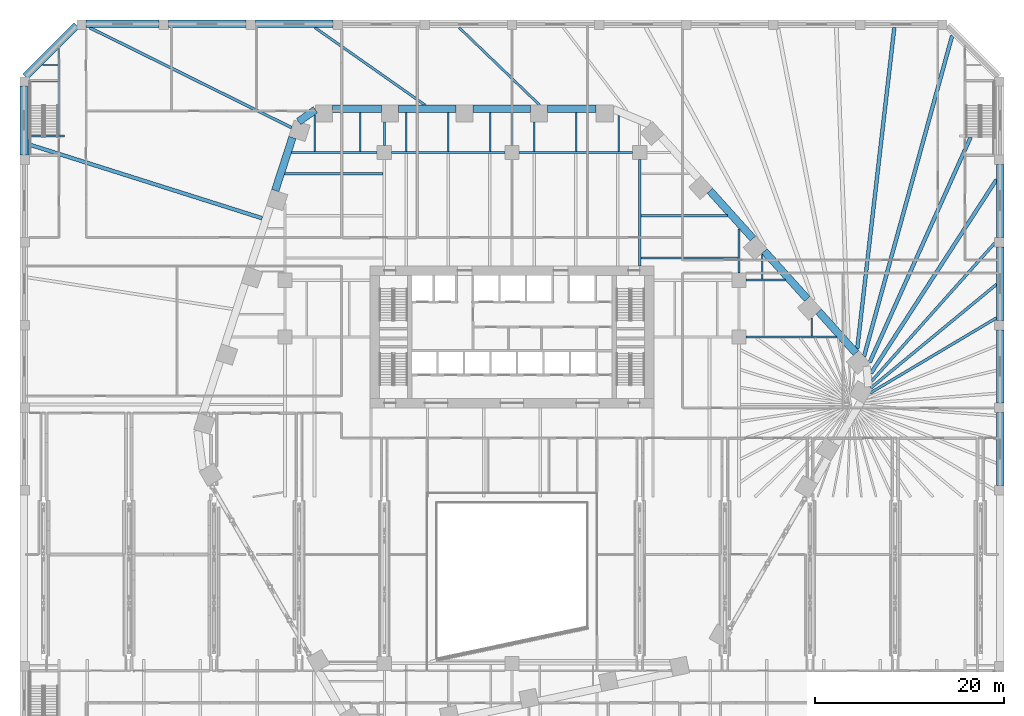
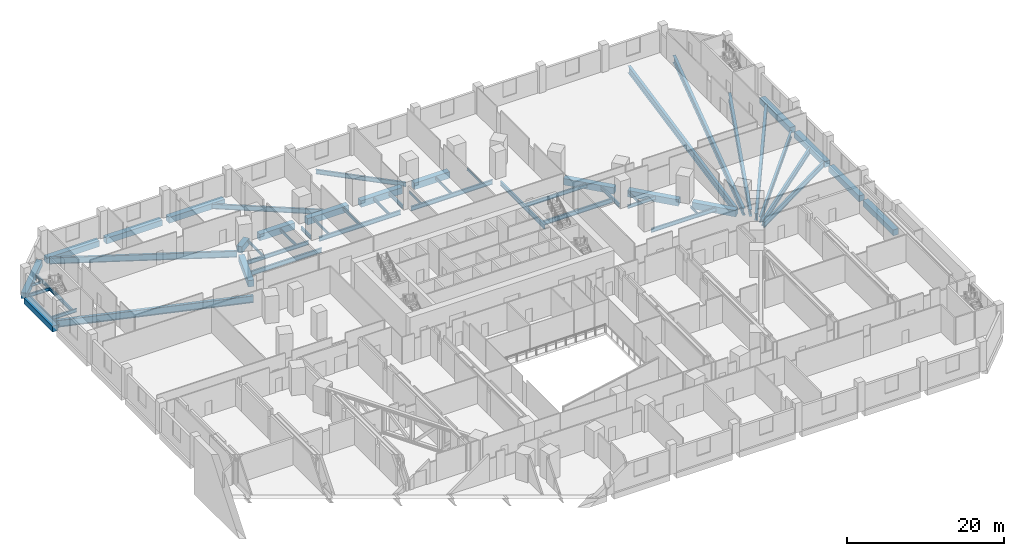
# One storey, part 10 of 32: 56 beams.
"""IFC4 building model written with IfcOpenShell, lengths in metres."""

from ifc_helpers import new_model, si_unit, direction, frame, origin, origin_2d, place, context, subcontext, project, spatial, rectangle, i_section, extrude, material, material_profile, profile_set, type_object, element, save


model = new_model("IFC4")

# Units and contexts
model_context = context("Model", 3, precision=1e-05, world=origin(), true_north=direction((0.0, 1.0)))
body_context = subcontext(model_context, "Body", "Model", "MODEL_VIEW")
ifc_project = project(units=[si_unit("LENGTHUNIT", "METRE"), si_unit("AREAUNIT", "SQUARE_METRE"), si_unit("VOLUMEUNIT", "CUBIC_METRE"), si_unit("PLANEANGLEUNIT", "RADIAN"), si_unit("MASSUNIT", "GRAM", prefix="KILO")], contexts=[model_context])

# Site, building, storey
site_placement = place(None, origin())
site = spatial("IfcSite", under=ifc_project, at=site_placement, CompositionType="ELEMENT")
building_placement = place(site_placement, origin())
building = spatial("IfcBuilding", under=site, at=building_placement, Name="Isthmus Gate Tower", CompositionType="ELEMENT")
storey_placement = place(building_placement, frame((0.0, 0.0, 18.0)))
storey = spatial("IfcBuildingStorey", under=building, at=storey_placement, Name="L02", CompositionType="ELEMENT", Elevation=18.0)

# Beams
ifc_material_1 = material(Name="Concrete f'c 70 MPa", Category="concrete")
ifc_material_profile_1 = material_profile(ifc_material_1, rectangle(XDim=0.800048828125, YDim=0.89990234375, at=origin_2d()), Name="RC 800X900")
ifc_profile_set_1 = profile_set([ifc_material_profile_1], Name="Concrete f'c 70 MPa")
beam_type_1 = type_object("IfcBeamType", Name="RC EDGE BEAM 800 X 900", PredefinedType="BEAM", material=ifc_profile_set_1)
beam_1_placement = place(storey_placement, frame((-51.60009765625, 26.75, -0.85009765625), z_axis=(0.0, 1.0, 0.0), x_axis=(-1.0, 0.0, 0.0)))
element("IfcBeam", 1, at=beam_1_placement, inside=storey, type_object=beam_type_1, Name="str-edgebeam-L02-07", PredefinedType="BEAM", context=body_context, shape_type="SweptSolid", body=[
    extrude(rectangle(XDim=0.800048828125, YDim=0.89990234375, at=origin_2d()), origin(), (0.0, 0.0, 1.0), 7.25),
])
beam_2_placement = place(storey_placement, frame((-51.434326171875, 35.0, -0.85009765625), z_axis=(0.707106781187, 0.707106781187, 0.0), x_axis=(-0.707106781187, 0.707106781187, 0.0)))
element("IfcBeam", 2, at=beam_2_placement, inside=storey, type_object=beam_type_1, Name="str-edgebeam-L02-08", PredefinedType="BEAM", context=body_context, shape_type="SweptSolid", body=[
    extrude(rectangle(XDim=0.800048828125, YDim=0.89990234375, at=origin_2d()), origin(), (0.0, 0.0, 1.0), 7.685302734375),
])
beam_3_placement = place(storey_placement, frame((-45.0, 40.60009765625, -0.85009765625), z_axis=(1.0, 0.0, 0.0), x_axis=(0.0, 1.0, 0.0)))
element("IfcBeam", 3, at=beam_3_placement, inside=storey, type_object=beam_type_1, Name="str-edgebeam-L02-09", PredefinedType="BEAM", context=body_context, shape_type="SweptSolid", body=[
    extrude(rectangle(XDim=0.800048828125, YDim=0.89990234375, at=origin_2d()), origin(), (0.0, 0.0, 1.0), 7.699951171875),
])
beam_4_placement = place(storey_placement, frame((-36.300048828125, 40.60009765625, -0.85009765625), z_axis=(1.0, 0.0, 0.0), x_axis=(0.0, 1.0, 0.0)))
element("IfcBeam", 4, at=beam_4_placement, inside=storey, type_object=beam_type_1, Name="str-edgebeam-L02-10", PredefinedType="BEAM", context=body_context, shape_type="SweptSolid", body=[
    extrude(rectangle(XDim=0.800048828125, YDim=0.89990234375, at=origin_2d()), origin(), (0.0, 0.0, 1.0), 8.199951171875),
])
beam_5_placement = place(storey_placement, frame((-27.10009765625, 40.60009765625, -0.85009765625), z_axis=(1.0, 0.0, 0.0), x_axis=(0.0, 1.0, 0.0)))
element("IfcBeam", 5, at=beam_5_placement, inside=storey, type_object=beam_type_1, Name="str-edgebeam-L02-11", PredefinedType="BEAM", context=body_context, shape_type="SweptSolid", body=[
    extrude(rectangle(XDim=0.800048828125, YDim=0.89990234375, at=origin_2d()), origin(), (0.0, 0.0, 1.0), 8.2001953125),
])
for number, where, z_axis, x_axis, name in (
    (6, (51.60009765625, 25.75, -0.85009765625), (0.0, -1.0, 0.0), (1.0, 0.0, 0.0), "str-edgebeam-L02-21"),
    (7, (51.60009765625, 17.0, -0.85009765625), (0.0, -1.0, 0.0), (1.0, 0.0, 0.0), "str-edgebeam-L02-22"),
    (8, (51.60009765625, 8.25, -0.85009765625), (0.0, -1.0, 0.0), (1.0, 0.0, 0.0), "str-edgebeam-L02-23"),
):
    element("IfcBeam", number, at=place(storey_placement, frame(where, z_axis=z_axis, x_axis=x_axis)), inside=storey, type_object=beam_type_1, Name=name, PredefinedType="BEAM", context=body_context, shape_type="SweptSolid", body=[
        extrude(rectangle(XDim=0.800048828125, YDim=0.89990234375, at=origin_2d()), origin(), (0.0, 0.0, 1.0), 7.75),
    ])
beam_6_placement = place(storey_placement, frame((51.60009765625, -0.5, -0.85009765625), z_axis=(0.0, -1.0, 0.0), x_axis=(1.0, 0.0, 0.0)))
element("IfcBeam", 9, at=beam_6_placement, inside=storey, type_object=beam_type_1, Name="str-edgebeam-L02-24", PredefinedType="BEAM", context=body_context, shape_type="SweptSolid", body=[
    extrude(rectangle(XDim=0.800048828125, YDim=0.89990234375, at=origin_2d()), origin(), (0.0, 0.0, 1.0), 7.699951171875),
])
ifc_material_2 = material(Name="Concrete f'c 70 MPa", Category="concrete")
ifc_material_profile_2 = material_profile(ifc_material_2, rectangle(XDim=0.800048828125, YDim=1.0, at=origin_2d()), Name="RC 800X1000")
ifc_profile_set_2 = profile_set([ifc_material_profile_2], Name="Concrete f'c 70 MPa")
beam_type_2 = type_object("IfcBeamType", Name="RC TUBE RING BEAM 800 X 1000", PredefinedType="BEAM", material=ifc_profile_set_2)
beam_7_placement = place(storey_placement, frame((20.91748046875, 22.94921875, -0.89990234375), z_axis=(0.669135571547, -0.743140354772, 0.0), x_axis=(0.743140354772, 0.669135571547, 0.0)))
element("IfcBeam", 10, at=beam_7_placement, inside=storey, type_object=beam_type_2, Name="str-ringbeam-L02-02", PredefinedType="BEAM", context=body_context, shape_type="SweptSolid", body=[
    extrude(rectangle(XDim=0.800048828125, YDim=1.0, at=origin_2d()), origin(), (0.0, 0.0, 1.0), 6.789306640625),
])
beam_8_placement = place(storey_placement, frame((26.664794921875, 16.566162109375, -0.89990234375), z_axis=(0.669117690519, -0.743156454748, 0.0), x_axis=(0.743156454748, 0.669117690519, 0.0)))
element("IfcBeam", 11, at=beam_8_placement, inside=storey, type_object=beam_type_2, Name="str-ringbeam-L02-03", PredefinedType="BEAM", context=body_context, shape_type="SweptSolid", body=[
    extrude(rectangle(XDim=0.800048828125, YDim=1.0, at=origin_2d()), origin(), (0.0, 0.0, 1.0), 6.78955078125),
])
beam_9_placement = place(storey_placement, frame((32.412353515625, 10.182861328125, -0.89990234375), z_axis=(0.669138782017, -0.743137464001, 0.0), x_axis=(0.743137464001, 0.669138782017, 0.0)))
element("IfcBeam", 12, at=beam_9_placement, inside=storey, type_object=beam_type_2, Name="str-ringbeam-L02-04", PredefinedType="BEAM", context=body_context, shape_type="SweptSolid", body=[
    extrude(rectangle(XDim=0.800048828125, YDim=1.0, at=origin_2d()), origin(), (0.0, 0.0, 1.0), 5.88916015625),
])
beam_10_placement = place(storey_placement, frame((-25.02490234375, 22.978271484375, -0.89990234375), z_axis=(0.309042953764, 0.951048081187, 0.0), x_axis=(-0.951048081187, 0.309042953764, 0.0)))
element("IfcBeam", 13, at=beam_10_placement, inside=storey, type_object=beam_type_2, Name="str-ringbeam-L02-18", PredefinedType="BEAM", context=body_context, shape_type="SweptSolid", body=[
    extrude(rectangle(XDim=0.800048828125, YDim=1.0, at=origin_2d()), origin(), (0.0, 0.0, 1.0), 5.889404296875),
])
beam_11_placement = place(storey_placement, frame((-22.553466796875, 30.260498046875, -0.89990234375), z_axis=(0.817857331203, 0.575421050882, 0.0), x_axis=(-0.575421050882, 0.817857331203, 0.0)))
element("IfcBeam", 14, at=beam_11_placement, inside=storey, type_object=beam_type_2, Name="str-ringbeam-L02-19", PredefinedType="BEAM", context=body_context, shape_type="SweptSolid", body=[
    extrude(rectangle(XDim=0.800048828125, YDim=1.0, at=origin_2d()), origin(), (0.0, 0.0, 1.0), 2.173095703125),
])
beam_12_placement = place(storey_placement, frame((-18.976318359375, 31.60009765625, -0.89990234375), z_axis=(1.0, 0.0, 0.0), x_axis=(0.0, 1.0, 0.0)))
element("IfcBeam", 15, at=beam_12_placement, inside=storey, type_object=beam_type_2, Name="str-ringbeam-L02-20", PredefinedType="BEAM", context=body_context, shape_type="SweptSolid", body=[
    extrude(rectangle(XDim=0.800048828125, YDim=1.0, at=origin_2d()), origin(), (0.0, 0.0, 1.0), 5.169677734375),
])
beam_13_placement = place(storey_placement, frame((-12.006591796875, 31.60009765625, -0.89990234375), z_axis=(1.0, 0.0, 0.0), x_axis=(0.0, 1.0, 0.0)))
element("IfcBeam", 16, at=beam_13_placement, inside=storey, type_object=beam_type_2, Name="str-ringbeam-L02-21", PredefinedType="BEAM", context=body_context, shape_type="SweptSolid", body=[
    extrude(rectangle(XDim=0.800048828125, YDim=1.0, at=origin_2d()), origin(), (0.0, 0.0, 1.0), 6.0693359375),
])
beam_14_placement = place(storey_placement, frame((-4.13720703125, 31.60009765625, -0.89990234375), z_axis=(1.0, 0.0, 0.0), x_axis=(0.0, 1.0, 0.0)))
element("IfcBeam", 17, at=beam_14_placement, inside=storey, type_object=beam_type_2, Name="str-ringbeam-L02-22", PredefinedType="BEAM", context=body_context, shape_type="SweptSolid", body=[
    extrude(rectangle(XDim=0.800048828125, YDim=1.0, at=origin_2d()), origin(), (0.0, 0.0, 1.0), 6.069580078125),
])
beam_15_placement = place(storey_placement, frame((3.732421875, 31.60009765625, -0.89990234375), z_axis=(1.0, 0.0, 0.0), x_axis=(0.0, 1.0, 0.0)))
element("IfcBeam", 18, at=beam_15_placement, inside=storey, type_object=beam_type_2, Name="str-ringbeam-L02-23", PredefinedType="BEAM", context=body_context, shape_type="SweptSolid", body=[
    extrude(rectangle(XDim=0.800048828125, YDim=1.0, at=origin_2d()), origin(), (0.0, 0.0, 1.0), 5.16943359375),
])
ifc_material_3 = material(Name="Structural steel ASTM A992 Gr 50", Category="steel")
ifc_material_profile_3 = material_profile(ifc_material_3, i_section(OverallWidth=0.1396484375, OverallDepth=0.4033203125, WebThickness=0.00634765625, FlangeThickness=0.010986328125, at=origin_2d()), Name="W16X31")
ifc_profile_set_3 = profile_set([ifc_material_profile_3], Name="Structural steel ASTM A992 Gr 50")
beam_type_3 = type_object("IfcBeamType", Name="STEEL FLOOR BEAM W16X31", PredefinedType="JOIST", material=ifc_profile_set_3)
beam_16_placement = place(storey_placement, frame((-49.616943359375, 36.25146484375, -0.6015625), z_axis=(1.0, 0.0, 0.0), x_axis=(0.0, 1.0, 0.0)))
element("IfcBeam", 19, at=beam_16_placement, inside=storey, type_object=beam_type_3, Name="str-beam-L02-05-00", PredefinedType="JOIST", context=body_context, shape_type="SweptSolid", body=[
    extrude(i_section(OverallWidth=0.1396484375, OverallDepth=0.4033203125, WebThickness=0.00634765625, FlangeThickness=0.010986328125, at=origin_2d()), origin(), (0.0, 0.0, 1.0), 1.616943359375),
])
beam_17_placement = place(storey_placement, frame((-20.846435546875, 27.1142578125, -0.6015625), z_axis=(0.0, 1.0, 0.0), x_axis=(-1.0, 0.0, 0.0)))
element("IfcBeam", 20, at=beam_17_placement, inside=storey, type_object=beam_type_3, Name="str-beam-L02-09-00", PredefinedType="JOIST", context=body_context, shape_type="SweptSolid", body=[
    extrude(i_section(OverallWidth=0.1396484375, OverallDepth=0.4033203125, WebThickness=0.00634765625, FlangeThickness=0.010986328125, at=origin_2d()), origin(), (0.0, 0.0, 1.0), 3.858154296875),
])
beam_18_placement = place(storey_placement, frame((2.33740234375, 27.126953125, -0.6015625), z_axis=(0.0, 1.0, 0.0), x_axis=(-1.0, 0.0, 0.0)))
element("IfcBeam", 21, at=beam_18_placement, inside=storey, type_object=beam_type_3, Name="str-beam-L02-21-00", PredefinedType="JOIST", context=body_context, shape_type="SweptSolid", body=[
    extrude(i_section(OverallWidth=0.1396484375, OverallDepth=0.4033203125, WebThickness=0.00634765625, FlangeThickness=0.010986328125, at=origin_2d()), origin(), (0.0, 0.0, 1.0), 3.072998046875),
])
beam_19_placement = place(storey_placement, frame((11.267578125, 27.126953125, -0.6015625), z_axis=(0.0, 1.0, 0.0), x_axis=(-1.0, 0.0, 0.0)))
element("IfcBeam", 22, at=beam_19_placement, inside=storey, type_object=beam_type_3, Name="str-beam-L02-21-02", PredefinedType="JOIST", context=body_context, shape_type="SweptSolid", body=[
    extrude(i_section(OverallWidth=0.1396484375, OverallDepth=0.4033203125, WebThickness=0.00634765625, FlangeThickness=0.010986328125, at=origin_2d()), origin(), (0.0, 0.0, 1.0), 3.771484375),
])
beam_20_placement = place(storey_placement, frame((26.448974609375, 13.604736328125, -0.6015625), z_axis=(0.0, 1.0, 0.0), x_axis=(-1.0, 0.0, 0.0)))
element("IfcBeam", 23, at=beam_20_placement, inside=storey, type_object=beam_type_3, Name="str-beam-L02-28-00", PredefinedType="JOIST", context=body_context, shape_type="SweptSolid", body=[
    extrude(i_section(OverallWidth=0.1396484375, OverallDepth=0.4033203125, WebThickness=0.00634765625, FlangeThickness=0.010986328125, at=origin_2d()), origin(), (0.0, 0.0, 1.0), 2.603515625),
])
beam_21_placement = place(storey_placement, frame((31.666259765625, 7.6142578125, -0.6015625), z_axis=(0.0, 1.0, 0.0), x_axis=(-1.0, 0.0, 0.0)))
element("IfcBeam", 24, at=beam_21_placement, inside=storey, type_object=beam_type_3, Name="str-beam-L02-29-01", PredefinedType="JOIST", context=body_context, shape_type="SweptSolid", body=[
    extrude(i_section(OverallWidth=0.1396484375, OverallDepth=0.4033203125, WebThickness=0.00634765625, FlangeThickness=0.010986328125, at=origin_2d()), origin(), (0.0, 0.0, 1.0), 1.89697265625),
])
ifc_material_4 = material(Name="Structural steel ASTM A992 Gr 50", Category="steel")
ifc_material_profile_4 = material_profile(ifc_material_4, i_section(OverallWidth=0.15234375, OverallDepth=0.45068359375, WebThickness=0.0078125, FlangeThickness=0.010986328125, at=origin_2d()), Name="W18X35")
ifc_profile_set_4 = profile_set([ifc_material_profile_4], Name="Structural steel ASTM A992 Gr 50")
beam_type_4 = type_object("IfcBeamType", Name="STEEL FLOOR BEAM W18X35", PredefinedType="JOIST", material=ifc_profile_set_4)
beam_22_placement = place(storey_placement, frame((-16.0185546875, 27.1142578125, -0.62548828125), z_axis=(0.0, 1.0, 0.0), x_axis=(-1.0, 0.0, 0.0)))
element("IfcBeam", 25, at=beam_22_placement, inside=storey, type_object=beam_type_4, Name="str-beam-L02-09-01", PredefinedType="JOIST", context=body_context, shape_type="SweptSolid", body=[
    extrude(i_section(OverallWidth=0.15234375, OverallDepth=0.45068359375, WebThickness=0.0078125, FlangeThickness=0.010986328125, at=origin_2d()), origin(), (0.0, 0.0, 1.0), 4.085693359375),
])
for number, where, z_axis, x_axis, name in (
    (26, (-11.18017578125, 27.126953125, -0.62548828125), (0.0, 1.0, 0.0), (-1.0, 0.0, 0.0), "str-beam-L02-15-00"),
    (27, (-6.75, 27.126953125, -0.62548828125), (0.0, 1.0, 0.0), (-1.0, 0.0, 0.0), "str-beam-L02-15-01"),
    (28, (-2.31982421875, 27.126953125, -0.62548828125), (0.0, 1.0, 0.0), (-1.0, 0.0, 0.0), "str-beam-L02-15-02"),
    (29, (6.802490234375, 27.126953125, -0.62548828125), (0.0, 1.0, 0.0), (-1.0, 0.0, 0.0), "str-beam-L02-21-01"),
):
    element("IfcBeam", number, at=place(storey_placement, frame(where, z_axis=z_axis, x_axis=x_axis)), inside=storey, type_object=beam_type_4, Name=name, PredefinedType="JOIST", context=body_context, shape_type="SweptSolid", body=[
        extrude(i_section(OverallWidth=0.15234375, OverallDepth=0.45068359375, WebThickness=0.0078125, FlangeThickness=0.010986328125, at=origin_2d()), origin(), (0.0, 0.0, 1.0), 4.072998046875),
    ])
ifc_material_5 = material(Name="Structural steel ASTM A992 Gr 50", Category="steel")
ifc_material_profile_5 = material_profile(ifc_material_5, i_section(OverallWidth=0.228515625, OverallDepth=0.603271484375, WebThickness=0.010986328125, FlangeThickness=0.014404296875, at=origin_2d()), Name="W24X68")
ifc_profile_set_5 = profile_set([ifc_material_profile_5], Name="Structural steel ASTM A992 Gr 50")
beam_type_5 = type_object("IfcBeamType", Name="STEEL FLOOR BEAM W24X68", PredefinedType="JOIST", material=ifc_profile_set_5)
beam_23_placement = place(storey_placement, frame((13.626953125, 20.30712890625, -0.70166015625), z_axis=(1.0, 0.0, 0.0), x_axis=(0.0, 1.0, 0.0)))
element("IfcBeam", 30, at=beam_23_placement, inside=storey, type_object=beam_type_5, Name="str-beam-L02-26-01", PredefinedType="JOIST", context=body_context, shape_type="SweptSolid", body=[
    extrude(i_section(OverallWidth=0.228515625, OverallDepth=0.603271484375, WebThickness=0.010986328125, FlangeThickness=0.014404296875, at=origin_2d()), origin(), (0.0, 0.0, 1.0), 9.131103515625),
])
ifc_material_6 = material(Name="Structural steel ASTM A992 Gr 50", Category="steel")
ifc_material_profile_6 = material_profile(ifc_material_6, i_section(OverallWidth=0.25390625, OverallDepth=0.679443359375, WebThickness=0.010986328125, FlangeThickness=0.015869140625, at=origin_2d()), Name="W27X84")
ifc_profile_set_6 = profile_set([ifc_material_profile_6], Name="Structural steel ASTM A992 Gr 50")
beam_type_6 = type_object("IfcBeamType", Name="STEEL FLOOR BEAM W27X84", PredefinedType="JOIST", material=ifc_profile_set_6)
beam_24_placement = place(storey_placement, frame((-24.0224609375, 24.76904296875, -0.73974609375), z_axis=(1.0, 0.0, 0.0), x_axis=(0.0, 1.0, 0.0)))
element("IfcBeam", 31, at=beam_24_placement, inside=storey, type_object=beam_type_6, Name="str-beam-L02-08-02", PredefinedType="JOIST", context=body_context, shape_type="SweptSolid", body=[
    extrude(i_section(OverallWidth=0.25390625, OverallDepth=0.679443359375, WebThickness=0.010986328125, FlangeThickness=0.015869140625, at=origin_2d()), origin(), (0.0, 0.0, 1.0), 10.3955078125),
])
beam_25_placement = place(storey_placement, frame((2.929443359375, 32.0, -0.73974609375), z_axis=(-0.7205207644, 0.693433362385, 0.0), x_axis=(-0.693433362385, -0.7205207644, 0.0)))
element("IfcBeam", 32, at=beam_25_placement, inside=storey, type_object=beam_type_6, Name="str-beam-L02-18-22", PredefinedType="JOIST", context=body_context, shape_type="SweptSolid", body=[
    extrude(i_section(OverallWidth=0.25390625, OverallDepth=0.679443359375, WebThickness=0.010986328125, FlangeThickness=0.015869140625, at=origin_2d()), origin(), (0.0, 0.0, 1.0), 11.8251953125),
])
beam_26_placement = place(storey_placement, frame((13.626953125, 15.84521484375, -0.73974609375), z_axis=(1.0, 0.0, 0.0), x_axis=(0.0, 1.0, 0.0)))
element("IfcBeam", 33, at=beam_26_placement, inside=storey, type_object=beam_type_6, Name="str-beam-L02-26-00", PredefinedType="JOIST", context=body_context, shape_type="SweptSolid", body=[
    extrude(i_section(OverallWidth=0.25390625, OverallDepth=0.679443359375, WebThickness=0.010986328125, FlangeThickness=0.015869140625, at=origin_2d()), origin(), (0.0, 0.0, 1.0), 10.268310546875),
])
ifc_material_7 = material(Name="Structural steel ASTM A992 Gr 50", Category="steel")
ifc_material_profile_7 = material_profile(ifc_material_7, i_section(OverallWidth=0.2666015625, OverallDepth=0.7587890625, WebThickness=0.014404296875, FlangeThickness=0.01904296875, at=origin_2d()), Name="W30X108")
ifc_profile_set_7 = profile_set([ifc_material_profile_7], Name="Structural steel ASTM A992 Gr 50")
beam_type_7 = type_object("IfcBeamType", Name="STEEL FLOOR BEAM W30X108", PredefinedType="JOIST", material=ifc_profile_set_7)
beam_27_placement = place(storey_placement, frame((-9.177978515625, 32.0, -0.779296875), z_axis=(-0.817931803777, 0.57531518698, 0.0), x_axis=(-0.57531518698, -0.817931803777, 0.0)))
element("IfcBeam", 34, at=beam_27_placement, inside=storey, type_object=beam_type_7, Name="str-beam-L02-18-24", PredefinedType="JOIST", context=body_context, shape_type="SweptSolid", body=[
    extrude(i_section(OverallWidth=0.2666015625, OverallDepth=0.7587890625, WebThickness=0.014404296875, FlangeThickness=0.01904296875, at=origin_2d()), origin(), (0.0, 0.0, 1.0), 14.2529296875),
])
ifc_material_8 = material(Name="Structural steel ASTM A992 Gr 50", Category="steel")
ifc_material_profile_8 = material_profile(ifc_material_8, i_section(OverallWidth=0.2919921875, OverallDepth=0.8349609375, WebThickness=0.014404296875, FlangeThickness=0.01904296875, at=origin_2d()), Name="W33X118")
ifc_profile_set_8 = profile_set([ifc_material_profile_8], Name="Structural steel ASTM A992 Gr 50")
beam_type_8 = type_object("IfcBeamType", Name="STEEL FLOOR BEAM W33X118", PredefinedType="JOIST", material=ifc_profile_set_8)
beam_28_placement = place(storey_placement, frame((37.861572265625, 1.578125, -0.8173828125), z_axis=(0.85956409258, 0.511027954956, 0.0), x_axis=(-0.511027954956, 0.85956409258, 0.0)))
element("IfcBeam", 35, at=beam_28_placement, inside=storey, type_object=beam_type_8, Name="str-beam-L02-18-03", PredefinedType="JOIST", context=body_context, shape_type="SweptSolid", body=[
    extrude(i_section(OverallWidth=0.2919921875, OverallDepth=0.8349609375, WebThickness=0.014404296875, FlangeThickness=0.01904296875, at=origin_2d()), origin(), (0.0, 0.0, 1.0), 15.517578125),
])
ifc_material_9 = material(Name="Structural steel ASTM A992 Gr 50", Category="steel")
ifc_material_profile_9 = material_profile(ifc_material_9, i_section(OverallWidth=0.3046875, OverallDepth=0.901611328125, WebThickness=0.015869140625, FlangeThickness=0.0205078125, at=origin_2d()), Name="W36X135")
ifc_profile_set_9 = profile_set([ifc_material_profile_9], Name="Structural steel ASTM A992 Gr 50")
beam_type_9 = type_object("IfcBeamType", Name="STEEL FLOOR BEAM W36X135", PredefinedType="JOIST", material=ifc_profile_set_9)
beam_29_placement = place(storey_placement, frame((37.918701171875, 2.097900390625, -0.850830078125), z_axis=(0.771484652954, 0.636247931436, 0.0), x_axis=(-0.636247931436, 0.771484652954, 0.0)))
element("IfcBeam", 36, at=beam_29_placement, inside=storey, type_object=beam_type_9, Name="str-beam-L02-18-04", PredefinedType="JOIST", context=body_context, shape_type="SweptSolid", body=[
    extrude(i_section(OverallWidth=0.3046875, OverallDepth=0.901611328125, WebThickness=0.015869140625, FlangeThickness=0.0205078125, at=origin_2d()), origin(), (0.0, 0.0, 1.0), 17.215087890625),
])
ifc_material_10 = material(Name="Structural steel ASTM A992 Gr 50", Category="steel")
ifc_material_profile_10 = material_profile(ifc_material_10, i_section(OverallWidth=0.3046875, OverallDepth=0.914306640625, WebThickness=0.015869140625, FlangeThickness=0.025390625, at=origin_2d()), Name="W36X160")
ifc_profile_set_10 = profile_set([ifc_material_profile_10], Name="Structural steel ASTM A992 Gr 50")
beam_type_10 = type_object("IfcBeamType", Name="STEEL FLOOR BEAM W36X160", PredefinedType="JOIST", material=ifc_profile_set_10)
beam_30_placement = place(storey_placement, frame((38.0244140625, 2.84423828125, -0.857177734375), z_axis=(0.665323661342, 0.746555038599, 0.0), x_axis=(-0.746555038599, 0.665323661342, 0.0)))
element("IfcBeam", 37, at=beam_30_placement, inside=storey, type_object=beam_type_10, Name="str-beam-L02-18-05", PredefinedType="JOIST", context=body_context, shape_type="SweptSolid", body=[
    extrude(i_section(OverallWidth=0.3046875, OverallDepth=0.914306640625, WebThickness=0.015869140625, FlangeThickness=0.025390625, at=origin_2d()), origin(), (0.0, 0.0, 1.0), 19.502685546875),
])
ifc_material_11 = material(Name="Structural steel ASTM A992 Gr 50", Category="steel")
ifc_material_profile_11 = material_profile(ifc_material_11, i_section(OverallWidth=0.29833984375, OverallDepth=0.981201171875, WebThickness=0.015869140625, FlangeThickness=0.025390625, at=origin_2d()), Name="W40X167")
ifc_profile_set_11 = profile_set([ifc_material_profile_11], Name="Structural steel ASTM A992 Gr 50")
beam_type_11 = type_object("IfcBeamType", Name="STEEL FLOOR BEAM W40X167", PredefinedType="JOIST", material=ifc_profile_set_11)
beam_31_placement = place(storey_placement, frame((-23.2880859375, 29.617919921875, -0.890625), z_axis=(-0.896166821681, 0.443717283547, 0.0), x_axis=(-0.443717283547, -0.896166821681, 0.0)))
element("IfcBeam", 38, at=beam_31_placement, inside=storey, type_object=beam_type_11, Name="str-beam-L02-18-26", PredefinedType="JOIST", context=body_context, shape_type="SweptSolid", body=[
    extrude(i_section(OverallWidth=0.29833984375, OverallDepth=0.981201171875, WebThickness=0.015869140625, FlangeThickness=0.025390625, at=origin_2d()), origin(), (0.0, 0.0, 1.0), 23.8486328125),
])
ifc_material_12 = material(Name="Structural steel ASTM A992 Gr 50", Category="steel")
ifc_material_profile_12 = material_profile(ifc_material_12, i_section(OverallWidth=0.39990234375, OverallDepth=1.089111328125, WebThickness=0.017578125, FlangeThickness=0.03173828125, at=origin_2d()), Name="W44X230")
ifc_profile_set_12 = profile_set([ifc_material_profile_12], Name="Structural steel ASTM A992 Gr 50")
beam_type_12 = type_object("IfcBeamType", Name="STEEL FLOOR BEAM W44X230", PredefinedType="JOIST", material=ifc_profile_set_12)
beam_32_placement = place(storey_placement, frame((37.95068359375, 3.666015625, -0.944580078125), z_axis=(0.543572271706, 0.839362368368, 0.0), x_axis=(-0.839362368368, 0.543572271706, 0.0)))
element("IfcBeam", 39, at=beam_32_placement, inside=storey, type_object=beam_type_12, Name="str-beam-L02-18-06", PredefinedType="JOIST", context=body_context, shape_type="SweptSolid", body=[
    extrude(i_section(OverallWidth=0.39990234375, OverallDepth=1.089111328125, WebThickness=0.017578125, FlangeThickness=0.03173828125, at=origin_2d()), origin(), (0.0, 0.0, 1.0), 24.37451171875),
])
beam_33_placement = place(storey_placement, frame((37.799072265625, 4.798095703125, -0.944580078125), z_axis=(0.409063692622, 0.912505833065, 0.0), x_axis=(-0.912505833065, 0.409063692622, 0.0)))
element("IfcBeam", 40, at=beam_33_placement, inside=storey, type_object=beam_type_12, Name="str-beam-L02-18-07", PredefinedType="JOIST", context=body_context, shape_type="SweptSolid", body=[
    extrude(i_section(OverallWidth=0.39990234375, OverallDepth=1.089111328125, WebThickness=0.017578125, FlangeThickness=0.03173828125, at=origin_2d()), origin(), (0.0, 0.0, 1.0), 26.10107421875),
])
beam_34_placement = place(storey_placement, frame((37.208740234375, 5.453857421875, -0.944580078125), z_axis=(0.264980025493, 0.964253901257, 0.0), x_axis=(-0.964253901257, 0.264980025493, 0.0)))
element("IfcBeam", 41, at=beam_34_placement, inside=storey, type_object=beam_type_12, Name="str-beam-L02-18-08", PredefinedType="JOIST", context=body_context, shape_type="SweptSolid", body=[
    extrude(i_section(OverallWidth=0.39990234375, OverallDepth=1.089111328125, WebThickness=0.017578125, FlangeThickness=0.03173828125, at=origin_2d()), origin(), (0.0, 0.0, 1.0), 35.148681640625),
])
beam_35_placement = place(storey_placement, frame((36.48876953125, 6.253173828125, -0.944580078125), z_axis=(0.11468918965, 0.993401424288, 0.0), x_axis=(-0.993401424288, 0.11468918965, 0.0)))
element("IfcBeam", 42, at=beam_35_placement, inside=storey, type_object=beam_type_12, Name="str-beam-L02-18-10", PredefinedType="JOIST", context=body_context, shape_type="SweptSolid", body=[
    extrude(i_section(OverallWidth=0.39990234375, OverallDepth=1.089111328125, WebThickness=0.017578125, FlangeThickness=0.03173828125, at=origin_2d()), origin(), (0.0, 0.0, 1.0), 34.17236328125),
])
beam_36_placement = place(storey_placement, frame((-26.39892578125, 20.0439453125, -0.944580078125), z_axis=(-0.953394918688, 0.301725254196, 0.0), x_axis=(-0.301725254196, -0.953394918688, 0.0)))
element("IfcBeam", 43, at=beam_36_placement, inside=storey, type_object=beam_type_12, Name="str-beam-L02-18-28", PredefinedType="JOIST", context=body_context, shape_type="SweptSolid", body=[
    extrude(i_section(OverallWidth=0.39990234375, OverallDepth=1.089111328125, WebThickness=0.017578125, FlangeThickness=0.03173828125, at=origin_2d()), origin(), (0.0, 0.0, 1.0), 25.751220703125),
])
ifc_material_13 = material(Name="Structural steel ASTM A992 Gr 50", Category="steel")
ifc_material_profile_13 = material_profile(ifc_material_13, i_section(OverallWidth=0.20947265625, OverallDepth=0.533447265625, WebThickness=0.009521484375, FlangeThickness=0.015869140625, at=origin_2d()), Name="W21X62")
ifc_profile_set_13 = profile_set([ifc_material_profile_13], Name="Structural steel ASTM A992 Gr 50")
beam_type_13 = type_object("IfcBeamType", Name="STEEL GIRDER W21X62", PredefinedType="BEAM", material=ifc_profile_set_13)
beam_37_placement = place(storey_placement, frame((24.75, 13.5, -0.666748046875), z_axis=(1.0, 0.0, 0.0), x_axis=(0.0, 1.0, 0.0)))
element("IfcBeam", 44, at=beam_37_placement, inside=storey, type_object=beam_type_13, Name="str-girder-L02-10", PredefinedType="BEAM", context=body_context, shape_type="SweptSolid", body=[
    extrude(i_section(OverallWidth=0.20947265625, OverallDepth=0.533447265625, WebThickness=0.009521484375, FlangeThickness=0.015869140625, at=origin_2d()), origin(), (0.0, 0.0, 1.0), 4.13720703125),
])
beam_38_placement = place(storey_placement, frame((-13.5, 27.75, -0.666748046875), z_axis=(0.0, 1.0, 0.0), x_axis=(-1.0, 0.0, 0.0)))
element("IfcBeam", 45, at=beam_38_placement, inside=storey, type_object=beam_type_13, Name="str-girder-L02-20", PredefinedType="BEAM", context=body_context, shape_type="SweptSolid", body=[
    extrude(i_section(OverallWidth=0.20947265625, OverallDepth=0.533447265625, WebThickness=0.009521484375, FlangeThickness=0.015869140625, at=origin_2d()), origin(), (0.0, 0.0, 1.0), 2.449951171875),
])
beam_39_placement = place(storey_placement, frame((0.0, 27.75, -0.666748046875), z_axis=(0.0, 1.0, 0.0), x_axis=(-1.0, 0.0, 0.0)))
element("IfcBeam", 46, at=beam_39_placement, inside=storey, type_object=beam_type_13, Name="str-girder-L02-23", PredefinedType="BEAM", context=body_context, shape_type="SweptSolid", body=[
    extrude(i_section(OverallWidth=0.20947265625, OverallDepth=0.533447265625, WebThickness=0.009521484375, FlangeThickness=0.015869140625, at=origin_2d()), origin(), (0.0, 0.0, 1.0), 3.449951171875),
])
beam_40_placement = place(storey_placement, frame((24.0, 14.25, -0.666748046875), z_axis=(0.0, 1.0, 0.0), x_axis=(-1.0, 0.0, 0.0)))
element("IfcBeam", 47, at=beam_40_placement, inside=storey, type_object=beam_type_13, Name="str-girder-L02-28", PredefinedType="BEAM", context=body_context, shape_type="SweptSolid", body=[
    extrude(i_section(OverallWidth=0.20947265625, OverallDepth=0.533447265625, WebThickness=0.009521484375, FlangeThickness=0.015869140625, at=origin_2d()), origin(), (0.0, 0.0, 1.0), 4.677978515625),
])
ifc_material_14 = material(Name="Structural steel ASTM A992 Gr 50", Category="steel")
ifc_material_profile_14 = material_profile(ifc_material_14, i_section(OverallWidth=0.228515625, OverallDepth=0.6064453125, WebThickness=0.010986328125, FlangeThickness=0.017578125, at=origin_2d()), Name="W24X76")
ifc_profile_set_14 = profile_set([ifc_material_profile_14], Name="Structural steel ASTM A992 Gr 50")
beam_type_14 = type_object("IfcBeamType", Name="STEEL GIRDER W24X76", PredefinedType="BEAM", material=ifc_profile_set_14)
beam_41_placement = place(storey_placement, frame((24.75, 7.5, -0.703125), z_axis=(1.0, 0.0, 0.0), x_axis=(0.0, 1.0, 0.0)))
element("IfcBeam", 48, at=beam_41_placement, inside=storey, type_object=beam_type_14, Name="str-girder-L02-07", PredefinedType="BEAM", context=body_context, shape_type="SweptSolid", body=[
    extrude(i_section(OverallWidth=0.228515625, OverallDepth=0.6064453125, WebThickness=0.010986328125, FlangeThickness=0.017578125, at=origin_2d()), origin(), (0.0, 0.0, 1.0), 9.539794921875),
])
beam_42_placement = place(storey_placement, frame((-23.297607421875, 27.0, -0.703125), z_axis=(1.0, 0.0, 0.0), x_axis=(0.0, 1.0, 0.0)))
element("IfcBeam", 49, at=beam_42_placement, inside=storey, type_object=beam_type_14, Name="str-girder-L02-11", PredefinedType="BEAM", context=body_context, shape_type="SweptSolid", body=[
    extrude(i_section(OverallWidth=0.228515625, OverallDepth=0.6064453125, WebThickness=0.010986328125, FlangeThickness=0.017578125, at=origin_2d()), origin(), (0.0, 0.0, 1.0), 9.047607421875),
])
ifc_material_15 = material(Name="Structural steel ASTM A992 Gr 50", Category="steel")
ifc_material_profile_15 = material_profile(ifc_material_15, i_section(OverallWidth=0.25390625, OverallDepth=0.679443359375, WebThickness=0.010986328125, FlangeThickness=0.015869140625, at=origin_2d()), Name="W27X84")
ifc_profile_set_15 = profile_set([ifc_material_profile_15], Name="Structural steel ASTM A992 Gr 50")
beam_type_15 = type_object("IfcBeamType", Name="STEEL GIRDER W27X84", PredefinedType="BEAM", material=ifc_profile_set_15)
for number, where, z_axis, x_axis, name in (
    (50, (-12.75, 27.0, -0.73974609375), (1.0, 0.0, 0.0), (0.0, 1.0, 0.0), "str-girder-L02-12"),
    (51, (0.75, 27.0, -0.73974609375), (1.0, 0.0, 0.0), (0.0, 1.0, 0.0), "str-girder-L02-13"),
):
    element("IfcBeam", number, at=place(storey_placement, frame(where, z_axis=z_axis, x_axis=x_axis)), inside=storey, type_object=beam_type_15, Name=name, PredefinedType="BEAM", context=body_context, shape_type="SweptSolid", body=[
        extrude(i_section(OverallWidth=0.25390625, OverallDepth=0.679443359375, WebThickness=0.010986328125, FlangeThickness=0.015869140625, at=origin_2d()), origin(), (0.0, 0.0, 1.0), 12.0),
    ])
beam_43_placement = place(storey_placement, frame((13.5, 15.0, -0.73974609375), z_axis=(0.0, 1.0, 0.0), x_axis=(-1.0, 0.0, 0.0)))
element("IfcBeam", 52, at=beam_43_placement, inside=storey, type_object=beam_type_15, Name="str-girder-L02-24", PredefinedType="BEAM", context=body_context, shape_type="SweptSolid", body=[
    extrude(i_section(OverallWidth=0.25390625, OverallDepth=0.679443359375, WebThickness=0.010986328125, FlangeThickness=0.015869140625, at=origin_2d()), origin(), (0.0, 0.0, 1.0), 11.25),
])
ifc_material_16 = material(Name="Structural steel ASTM A992 Gr 50", Category="steel")
ifc_material_profile_16 = material_profile(ifc_material_16, i_section(OverallWidth=0.20947265625, OverallDepth=0.533447265625, WebThickness=0.009521484375, FlangeThickness=0.015869140625, at=origin_2d()), Name="W21X62")
ifc_profile_set_16 = profile_set([ifc_material_profile_16], Name="Structural steel ASTM A992 Gr 50")
beam_type_16 = type_object("IfcBeamType", Name="STEEL TRIMMER W21X62", PredefinedType="BEAM", material=ifc_profile_set_16)
beam_44_placement = place(storey_placement, frame((-47.895263671875, 28.824951171875, -0.666748046875), z_axis=(0.0, 1.0, 0.0), x_axis=(-1.0, 0.0, 0.0)))
element("IfcBeam", 53, at=beam_44_placement, inside=storey, type_object=beam_type_16, Name="str-trimmer-L02-07", PredefinedType="BEAM", context=body_context, shape_type="SweptSolid", body=[
    extrude(i_section(OverallWidth=0.20947265625, OverallDepth=0.533447265625, WebThickness=0.009521484375, FlangeThickness=0.015869140625, at=origin_2d()), origin(), (0.0, 0.0, 1.0), 9.1484375),
])
beam_45_placement = place(storey_placement, frame((-51.0546875, 34.0, -0.666748046875), z_axis=(0.0, -1.0, 0.0), x_axis=(1.0, 0.0, 0.0)))
element("IfcBeam", 54, at=beam_45_placement, inside=storey, type_object=beam_type_16, Name="str-trimmer-L02-08", PredefinedType="BEAM", context=body_context, shape_type="SweptSolid", body=[
    extrude(i_section(OverallWidth=0.20947265625, OverallDepth=0.533447265625, WebThickness=0.009521484375, FlangeThickness=0.015869140625, at=origin_2d()), origin(), (0.0, 0.0, 1.0), 7.25),
])
beam_46_placement = place(storey_placement, frame((-48.0, 34.52978515625, -0.666748046875), z_axis=(-1.0, 0.0, 0.0), x_axis=(0.0, -1.0, 0.0)))
element("IfcBeam", 55, at=beam_46_placement, inside=storey, type_object=beam_type_16, Name="str-trimmer-L02-16", PredefinedType="BEAM", context=body_context, shape_type="SweptSolid", body=[
    extrude(i_section(OverallWidth=0.20947265625, OverallDepth=0.533447265625, WebThickness=0.009521484375, FlangeThickness=0.015869140625, at=origin_2d()), origin(), (0.0, 0.0, 1.0), 3.0),
])
beam_47_placement = place(storey_placement, frame((-50.949951171875, 28.72021484375, -0.666748046875), z_axis=(1.0, 0.0, 0.0), x_axis=(0.0, 1.0, 0.0)))
element("IfcBeam", 56, at=beam_47_placement, inside=storey, type_object=beam_type_16, Name="str-trimmer-L02-17", PredefinedType="BEAM", context=body_context, shape_type="SweptSolid", body=[
    extrude(i_section(OverallWidth=0.20947265625, OverallDepth=0.533447265625, WebThickness=0.009521484375, FlangeThickness=0.015869140625, at=origin_2d()), origin(), (0.0, 0.0, 1.0), 3.64990234375),
])

save(model, "model.ifc")
